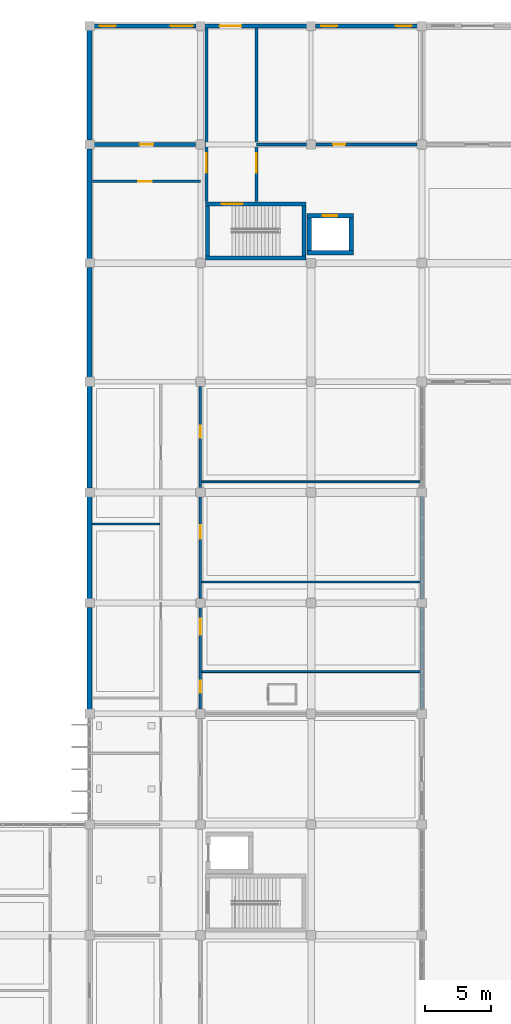
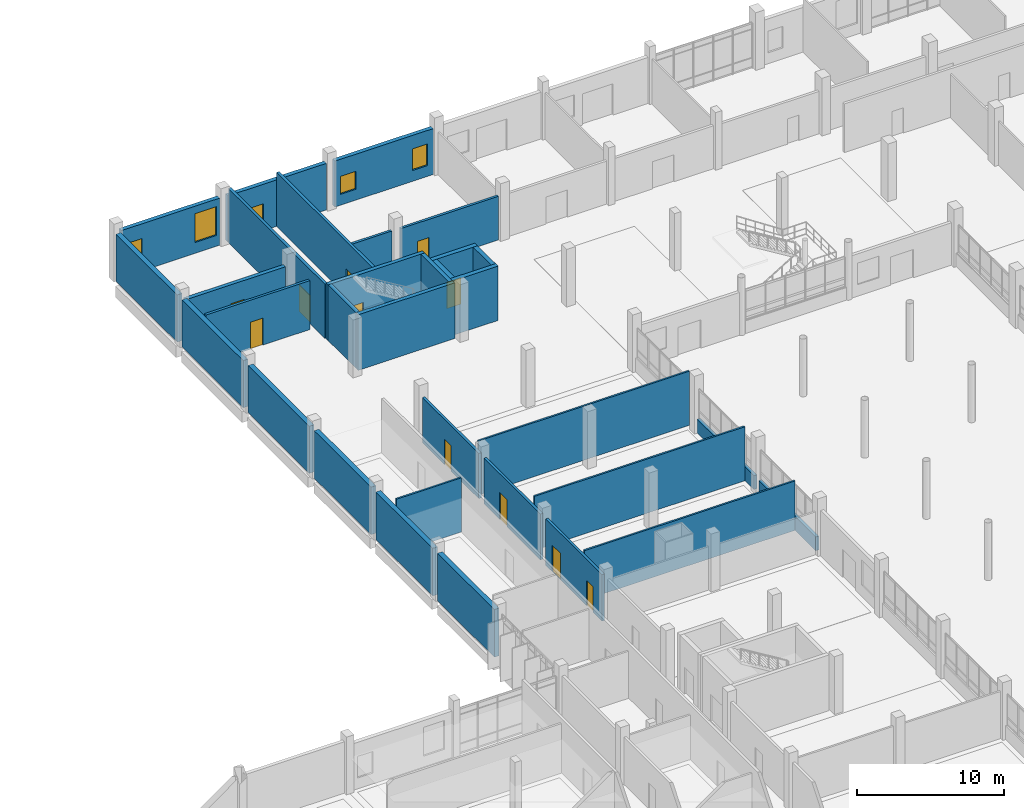
# One storey, part 79 of 95: 32 walls, 12 doors, 4 windows, 16 openings.
"""IFC4 building model written with IfcOpenShell, lengths in metres."""

from ifc_helpers import new_model, si_unit, direction, frame, frame_2d, origin, place, context, subcontext, project, spatial, rectangle, extrude, material, layer, layer_set, type_object, element, fill, save


model = new_model("IFC4")

# Units and contexts
model_context = context("Model", 3, precision=1e-05, world=origin(), true_north=direction((0.0, 1.0)))
body_context = subcontext(model_context, "Body", "Model", "MODEL_VIEW")
ifc_project = project(units=[si_unit("LENGTHUNIT", "METRE"), si_unit("AREAUNIT", "SQUARE_METRE"), si_unit("VOLUMEUNIT", "CUBIC_METRE"), si_unit("PLANEANGLEUNIT", "RADIAN"), si_unit("MASSUNIT", "GRAM", prefix="KILO")], contexts=[model_context])

# Site, building, storey
site_placement = place(None, origin())
site = spatial("IfcSite", under=ifc_project, at=site_placement, CompositionType="ELEMENT")
building_placement = place(site_placement, origin())
building = spatial("IfcBuilding", under=site, at=building_placement, Name="Vireocrest Preparatory School", CompositionType="ELEMENT")
storey_placement = place(building_placement, origin())
storey = spatial("IfcBuildingStorey", under=building, at=storey_placement, Name="L00", CompositionType="ELEMENT", Elevation=0.0)

# Walls
ifc_material_1 = material(Name="Gypsum board on cold-formed steel studs", Category="steel")
ifc_layer_1 = layer(ifc_material_1, 0.139892578125)
ifc_layer_set_1 = layer_set([ifc_layer_1], Name="Gypsum board on cold-formed steel studs")
wall_type_1 = type_object("IfcWallType", Name="Classroom Acoustic Partition Wall 140", PredefinedType="PARTITIONING", material=ifc_layer_set_1)
wall_1_placement = place(storey_placement, frame((42.195068359375, 75.0, 0.0), z_axis=(0.0, 0.0, 1.0), x_axis=(1.0, 0.0, 0.0)))
element("IfcWall", 1, at=wall_1_placement, inside=storey, type_object=wall_type_1, Name="Interior Partition W03 IW_L00_0045", PredefinedType="PARTITIONING", context=body_context, shape_type="SweptSolid", body=[
    extrude(rectangle(XDim=5.099853515625, YDim=0.139892578125, at=frame_2d((2.5498046875, 0.0))), origin(), (0.0, 0.0, 1.0), 4.5),
])
wall_2_placement = place(storey_placement, frame((50.5048828125, 63.800048828125, 0.0), z_axis=(0.0, 0.0, 1.0), x_axis=(1.0, 0.0, 0.0)))
element("IfcWall", 2, at=wall_2_placement, inside=storey, type_object=wall_type_1, Name="Interior Partition W03 IW_L00_0060", PredefinedType="PARTITIONING", context=body_context, shape_type="SweptSolid", body=[
    extrude(rectangle(XDim=16.570068359375, YDim=0.139892578125, at=frame_2d((8.28515625, 0.0))), origin(), (0.0, 0.0, 1.0), 4.110107421875),
])
for number, where, z_axis, x_axis, name in (
    (3, (50.5048828125, 70.60009765625, 0.0), (0.0, 0.0, 1.0), (1.0, 0.0, 0.0), "Interior Partition W03 IW_L00_0061"),
    (4, (50.5048828125, 78.199951171875, 0.0), (0.0, 0.0, 1.0), (1.0, 0.0, 0.0), "Interior Partition W03 IW_L00_0062"),
):
    element("IfcWall", number, at=place(storey_placement, frame(where, z_axis=z_axis, x_axis=x_axis)), inside=storey, type_object=wall_type_1, Name=name, PredefinedType="PARTITIONING", context=body_context, shape_type="SweptSolid", body=[
        extrude(rectangle(XDim=16.570068359375, YDim=0.139892578125, at=frame_2d((8.28515625, 0.0))), origin(), (0.0, 0.0, 1.0), 4.5),
    ])

# Wall, openings, doors
ifc_layer_2 = layer(ifc_material_1, 0.199951171875)
ifc_layer_set_2 = layer_set([ifc_layer_2], Name="Gypsum board on cold-formed steel studs")
wall_type_2 = type_object("IfcWallType", Name="Corridor One-Hour Fire Partition 200", PredefinedType="PARTITIONING", material=ifc_layer_set_2)
wall_3_placement = place(storey_placement, frame((50.39990234375, 60.9599609375, 0.0), z_axis=(0.0, 0.0, 1.0), x_axis=(0.0, 1.0, 0.0)))
wall_3 = element("IfcWall", 5, at=wall_3_placement, inside=storey, type_object=wall_type_2, Name="Interior Partition W06 IW_L00_0064", PredefinedType="PARTITIONING", context=body_context, shape_type="SweptSolid", body=[
    extrude(rectangle(XDim=7.679931640625, YDim=0.199951171875, at=frame_2d((3.83984375, 0.0))), origin(), (0.0, 0.0, 1.0), 3.860107421875),
])
opening_1_placement = place(wall_3_placement, frame((1.239990234375, 0.0, 0.0)))
opening_1 = element("IfcOpeningElement", 6, at=opening_1_placement, cuts=wall_3, Name="Opening D-L00-WAEN02", PredefinedType="OPENING", context=body_context, shape_type="SweptSolid", body=[
    extrude(rectangle(XDim=0.89990234375, YDim=2.10009765625, at=frame_2d((0.449951171875, 1.050048828125))), frame((0.0, 0.10986328125, 0.0), z_axis=(0.0, -1.0, 0.0), x_axis=(1.0, 0.0, 0.0)), (0.0, 0.0, 1.0), 0.219970703125),
])
opening_2_placement = place(wall_3_placement, frame((5.639892578125, 0.0, 0.0)))
opening_2 = element("IfcOpeningElement", 7, at=opening_2_placement, cuts=wall_3, Name="Opening D-L00-WAEN03", PredefinedType="OPENING", context=body_context, shape_type="SweptSolid", body=[
    extrude(rectangle(XDim=1.199951171875, YDim=2.199951171875, at=frame_2d((0.60009765625, 1.10009765625))), frame((0.0, 0.10986328125, 0.0), z_axis=(0.0, -1.0, 0.0), x_axis=(1.0, 0.0, 0.0)), (0.0, 0.0, 1.0), 0.219970703125),
])
ifc_material_2 = material(Name="Solid-core architectural birch timber", Category="wood")
door_type_1 = type_object("IfcDoorType", Name="Office Timber Door 900x2100", OperationType="NOTDEFINED", PredefinedType="DOOR", material=ifc_material_2)
door_1_placement = place(opening_1_placement, origin())
door_1 = element("IfcDoor", 8, at=door_1_placement, inside=storey, type_object=door_type_1, Name="Interior Door D-L00-WAEN02", OperationType="SINGLE_SWING_LEFT", OverallHeight=2.10009765625, OverallWidth=0.89990234375, PredefinedType="DOOR", context=body_context, shape_type="SweptSolid", body=[
    extrude(rectangle(XDim=0.89990234375, YDim=2.10009765625, at=frame_2d((0.449951171875, 1.050048828125))), frame((0.0, 0.02490234375, 0.0), z_axis=(0.0, -1.0, 0.0), x_axis=(1.0, 0.0, 0.0)), (0.0, 0.0, 1.0), 0.050048828125),
])
fill(opening_1, door_1)
door_type_2 = type_object("IfcDoorType", Name="Wide Accessible Studio Door 1200x2200", OperationType="NOTDEFINED", PredefinedType="DOOR", material=ifc_material_2)
door_2_placement = place(opening_2_placement, origin())
door_2 = element("IfcDoor", 9, at=door_2_placement, inside=storey, type_object=door_type_2, Name="Interior Door D-L00-WAEN03", OperationType="SINGLE_SWING_RIGHT", OverallHeight=2.199951171875, OverallWidth=1.199951171875, PredefinedType="DOOR", context=body_context, shape_type="SweptSolid", body=[
    extrude(rectangle(XDim=1.199951171875, YDim=2.199951171875, at=frame_2d((0.60009765625, 1.10009765625))), frame((0.0, 0.02490234375, 0.0), z_axis=(0.0, -1.0, 0.0), x_axis=(1.0, 0.0, 0.0)), (0.0, 0.0, 1.0), 0.050048828125),
])
fill(opening_2, door_2)

# Wall, opening, door
wall_4_placement = place(storey_placement, frame((50.39990234375, 69.360107421875, 0.0), z_axis=(0.0, 0.0, 1.0), x_axis=(0.0, 1.0, 0.0)))
wall_4 = element("IfcWall", 10, at=wall_4_placement, inside=storey, type_object=wall_type_2, Name="Interior Partition W06 IW_L00_0065", PredefinedType="PARTITIONING", context=body_context, shape_type="SweptSolid", body=[
    extrude(rectangle(XDim=7.679931640625, YDim=0.199951171875, at=frame_2d((3.83984375, 0.0))), origin(), (0.0, 0.0, 1.0), 3.81005859375),
])
opening_3_placement = place(wall_4_placement, frame((4.5400390625, 0.0, 0.0)))
opening_3 = element("IfcOpeningElement", 11, at=opening_3_placement, cuts=wall_4, Name="Opening D-L00-WAEN04", PredefinedType="OPENING", context=body_context, shape_type="SweptSolid", body=[
    extrude(rectangle(XDim=1.0, YDim=2.25, at=frame_2d((0.5, 1.125))), frame((0.0, 0.10986328125, 0.0), z_axis=(0.0, -1.0, 0.0), x_axis=(1.0, 0.0, 0.0)), (0.0, 0.0, 1.0), 0.219970703125),
])
door_type_3 = type_object("IfcDoorType", Name="Seminar Room Timber Door 1000x2250", OperationType="NOTDEFINED", PredefinedType="DOOR", material=ifc_material_2)
door_3_placement = place(opening_3_placement, origin())
door_3 = element("IfcDoor", 12, at=door_3_placement, inside=storey, type_object=door_type_3, Name="Interior Door D-L00-WAEN04", OperationType="SINGLE_SWING_LEFT", OverallHeight=2.25, OverallWidth=1.0, PredefinedType="DOOR", context=body_context, shape_type="SweptSolid", body=[
    extrude(rectangle(XDim=1.0, YDim=2.25, at=frame_2d((0.5, 1.125))), frame((0.0, 0.02490234375, 0.0), z_axis=(0.0, -1.0, 0.0), x_axis=(1.0, 0.0, 0.0)), (0.0, 0.0, 1.0), 0.050048828125),
])
fill(opening_3, door_3)

wall_5_placement = place(storey_placement, frame((50.39990234375, 77.760009765625, 0.0), z_axis=(0.0, 0.0, 1.0), x_axis=(0.0, 1.0, 0.0)))
wall_5 = element("IfcWall", 13, at=wall_5_placement, inside=storey, type_object=wall_type_2, Name="Interior Partition W06 IW_L00_0066", PredefinedType="PARTITIONING", context=body_context, shape_type="SweptSolid", body=[
    extrude(rectangle(XDim=7.679931640625, YDim=0.199951171875, at=frame_2d((3.83984375, 0.0))), origin(), (0.0, 0.0, 1.0), 3.760009765625),
])
opening_4_placement = place(wall_5_placement, frame((3.7900390625, 0.0, 0.0)))
opening_4 = element("IfcOpeningElement", 14, at=opening_4_placement, cuts=wall_5, Name="Opening D-L00-WAEN05", PredefinedType="OPENING", context=body_context, shape_type="SweptSolid", body=[
    extrude(rectangle(XDim=0.89990234375, YDim=2.10009765625, at=frame_2d((0.449951171875, 1.050048828125))), frame((0.0, 0.10986328125, 0.0), z_axis=(0.0, -1.0, 0.0), x_axis=(1.0, 0.0, 0.0)), (0.0, 0.0, 1.0), 0.219970703125),
])
door_4_placement = place(opening_4_placement, origin())
door_4 = element("IfcDoor", 15, at=door_4_placement, inside=storey, type_object=door_type_1, Name="Interior Door D-L00-WAEN05", OperationType="SINGLE_SWING_RIGHT", OverallHeight=2.10009765625, OverallWidth=0.89990234375, PredefinedType="DOOR", context=body_context, shape_type="SweptSolid", body=[
    extrude(rectangle(XDim=0.89990234375, YDim=2.10009765625, at=frame_2d((0.449951171875, 1.050048828125))), frame((0.0, 0.02490234375, 0.0), z_axis=(0.0, -1.0, 0.0), x_axis=(1.0, 0.0, 0.0)), (0.0, 0.0, 1.0), 0.050048828125),
])
fill(opening_4, door_4)

# Wall
wall_6_placement = place(storey_placement, frame((54.659912109375, 103.800048828125, 0.0), z_axis=(0.0, 0.0, 1.0), x_axis=(1.0, 0.0, 0.0)))
element("IfcWall", 16, at=wall_6_placement, inside=storey, type_object=wall_type_2, Name="Interior Partition W06 IW_L00_0076", PredefinedType="PARTITIONING", context=body_context, shape_type="SweptSolid", body=[
    extrude(rectangle(XDim=3.780029296875, YDim=0.199951171875, at=frame_2d((1.89013671875, 0.0))), origin(), (0.0, 0.0, 1.0), 3.669921875),
])

# Wall, opening, door
wall_7_placement = place(storey_placement, frame((59.159912109375, 103.800048828125, 0.0), z_axis=(0.0, 0.0, 1.0), x_axis=(1.0, 0.0, 0.0)))
wall_7 = element("IfcWall", 17, at=wall_7_placement, inside=storey, type_object=wall_type_2, Name="Interior Partition W06 IW_L00_0077", PredefinedType="PARTITIONING", context=body_context, shape_type="SweptSolid", body=[
    extrude(rectangle(XDim=7.68017578125, YDim=0.199951171875, at=frame_2d((3.840087890625, 0.0))), origin(), (0.0, 0.0, 1.0), 3.6201171875),
])
opening_5_placement = place(wall_7_placement, frame((1.31494140625, 0.0, 0.0)))
opening_5 = element("IfcOpeningElement", 18, at=opening_5_placement, cuts=wall_7, Name="Opening D-L00-NNE01", PredefinedType="OPENING", context=body_context, shape_type="SweptSolid", body=[
    extrude(rectangle(XDim=0.89990234375, YDim=2.10009765625, at=frame_2d((0.449951171875, 1.050048828125))), frame((0.0, 0.10986328125, 0.0), z_axis=(0.0, -1.0, 0.0), x_axis=(1.0, 0.0, 0.0)), (0.0, 0.0, 1.0), 0.219970703125),
])
door_5_placement = place(opening_5_placement, origin())
door_5 = element("IfcDoor", 19, at=door_5_placement, inside=storey, type_object=door_type_1, Name="Interior Door D-L00-NNE01", OperationType="SINGLE_SWING_LEFT", OverallHeight=2.10009765625, OverallWidth=0.89990234375, PredefinedType="DOOR", context=body_context, shape_type="SweptSolid", body=[
    extrude(rectangle(XDim=0.89990234375, YDim=2.10009765625, at=frame_2d((0.449951171875, 1.050048828125))), frame((0.0, 0.02490234375, 0.0), z_axis=(0.0, -1.0, 0.0), x_axis=(1.0, 0.0, 0.0)), (0.0, 0.0, 1.0), 0.050048828125),
])
fill(opening_5, door_5)

wall_8_placement = place(storey_placement, frame((42.195068359375, 101.0, 0.0), z_axis=(0.0, 0.0, 1.0), x_axis=(1.0, 0.0, 0.0)))
wall_8 = element("IfcWall", 20, at=wall_8_placement, inside=storey, type_object=wall_type_2, Name="Interior Partition W06 IW_L00_0084", PredefinedType="PARTITIONING", context=body_context, shape_type="SweptSolid", body=[
    extrude(rectangle(XDim=8.19482421875, YDim=0.199951171875, at=frame_2d((4.097412109375, 0.0))), origin(), (0.0, 0.0, 1.0), 4.070068359375),
])
opening_6_placement = place(wall_8_placement, frame((3.5048828125, 0.0, 0.0)))
opening_6 = element("IfcOpeningElement", 21, at=opening_6_placement, cuts=wall_8, Name="Opening D-L00-NSW01", PredefinedType="OPENING", context=body_context, shape_type="SweptSolid", body=[
    extrude(rectangle(XDim=1.0, YDim=2.25, at=frame_2d((0.5, 1.125))), frame((0.0, 0.10986328125, 0.0), z_axis=(0.0, -1.0, 0.0), x_axis=(1.0, 0.0, 0.0)), (0.0, 0.0, 1.0), 0.219970703125),
])
door_6_placement = place(opening_6_placement, origin())
door_6 = element("IfcDoor", 22, at=door_6_placement, inside=storey, type_object=door_type_3, Name="Interior Door D-L00-NSW01", OperationType="SINGLE_SWING_RIGHT", OverallHeight=2.25, OverallWidth=1.0, PredefinedType="DOOR", context=body_context, shape_type="SweptSolid", body=[
    extrude(rectangle(XDim=1.0, YDim=2.25, at=frame_2d((0.5, 1.125))), frame((0.0, 0.02490234375, 0.0), z_axis=(0.0, -1.0, 0.0), x_axis=(1.0, 0.0, 0.0)), (0.0, 0.0, 1.0), 0.050048828125),
])
fill(opening_6, door_6)

# Wall, openings, windows
ifc_material_3 = material(Name="Precast white concrete 40 MPa", Category="concrete")
ifc_layer_3 = layer(ifc_material_3, 0.320068359375)
ifc_layer_set_3 = layer_set([ifc_layer_3], Name="Precast white concrete 40 MPa")
wall_type_3 = type_object("IfcWallType", Name="High-Tech Insulated Rainscreen External Wall 320", PredefinedType="SOLIDWALL", material=ifc_layer_set_3)
wall_9_placement = place(storey_placement, frame((42.324951171875, 112.800048828125, 0.0), z_axis=(0.0, 0.0, 1.0), x_axis=(1.0, 0.0, 0.0)))
wall_9 = element("IfcWall", 23, at=wall_9_placement, inside=storey, type_object=wall_type_3, Name="External Wall W12 EW_L00_0073", PredefinedType="SOLIDWALL", context=body_context, shape_type="SweptSolid", body=[
    extrude(rectangle(XDim=7.75, YDim=0.320068359375, at=frame_2d((3.875, 0.0))), origin(), (0.0, 0.0, 1.0), 3.919921875),
])
opening_7_placement = place(wall_9_placement, frame((0.449951171875, 0.0, 0.89990234375)))
opening_7 = element("IfcOpeningElement", 24, at=opening_7_placement, cuts=wall_9, Name="Opening WN02", PredefinedType="OPENING", context=body_context, shape_type="SweptSolid", body=[
    extrude(rectangle(XDim=1.199951171875, YDim=1.800048828125, at=frame_2d((0.60009765625, 0.89990234375))), frame((0.0, 0.169921875, 0.0), z_axis=(0.0, -1.0, 0.0), x_axis=(1.0, 0.0, 0.0)), (0.0, 0.0, 1.0), 0.340087890625),
])
opening_8_placement = place(wall_9_placement, frame((5.820068359375, 0.0, 0.89990234375)))
opening_8 = element("IfcOpeningElement", 25, at=opening_8_placement, cuts=wall_9, Name="Opening WN07", PredefinedType="OPENING", context=body_context, shape_type="SweptSolid", body=[
    extrude(rectangle(XDim=1.679931640625, YDim=2.39990234375, at=frame_2d((0.83984375, 1.199951171875))), frame((0.0, 0.169921875, 0.0), z_axis=(0.0, -1.0, 0.0), x_axis=(1.0, 0.0, 0.0)), (0.0, 0.0, 1.0), 0.340087890625),
])
ifc_material_4 = material(Name="Thermally broken aluminium EN AW-6063-T6", Category="aluminium")
window_type_1 = type_object("IfcWindowType", Name="Counseling Window 1200x1800", PartitioningType="SINGLE_PANEL", PredefinedType="WINDOW", material=ifc_material_4)
window_1_placement = place(opening_7_placement, origin())
window_1 = element("IfcWindow", 26, at=window_1_placement, inside=storey, type_object=window_type_1, Name="Window W-L00-013 (WN02)", OverallHeight=1.800048828125, OverallWidth=1.199951171875, PartitioningType="SINGLE_PANEL", PredefinedType="WINDOW", context=body_context, shape_type="SweptSolid", body=[
    extrude(rectangle(XDim=1.199951171875, YDim=1.800048828125, at=frame_2d((0.60009765625, 0.89990234375))), frame((0.0, 0.030029296875, 0.0), z_axis=(0.0, -1.0, 0.0), x_axis=(1.0, 0.0, 0.0)), (0.0, 0.0, 1.0), 0.06005859375),
])
fill(opening_7, window_1)
window_type_2 = type_object("IfcWindowType", Name="Module Lab Window 1680x2400", PartitioningType="SINGLE_PANEL", PredefinedType="WINDOW", material=ifc_material_4)
window_2_placement = place(opening_8_placement, origin())
window_2 = element("IfcWindow", 27, at=window_2_placement, inside=storey, type_object=window_type_2, Name="Window W-L00-014 (WN07)", OverallHeight=2.39990234375, OverallWidth=1.679931640625, PartitioningType="SINGLE_PANEL", PredefinedType="WINDOW", context=body_context, shape_type="SweptSolid", body=[
    extrude(rectangle(XDim=1.679931640625, YDim=2.39990234375, at=frame_2d((0.83984375, 1.199951171875))), frame((0.0, 0.030029296875, 0.0), z_axis=(0.0, -1.0, 0.0), x_axis=(1.0, 0.0, 0.0)), (0.0, 0.0, 1.0), 0.06005859375),
])
fill(opening_8, window_2)

# Wall, opening, door
wall_10_placement = place(storey_placement, frame((50.72509765625, 112.800048828125, 0.0), z_axis=(0.0, 0.0, 1.0), x_axis=(1.0, 0.0, 0.0)))
wall_10 = element("IfcWall", 28, at=wall_10_placement, inside=storey, type_object=wall_type_3, Name="External Wall W12 EW_L00_0074", PredefinedType="SOLIDWALL", context=body_context, shape_type="SweptSolid", body=[
    extrude(rectangle(XDim=7.75, YDim=0.320068359375, at=frame_2d((3.875, 0.0))), origin(), (0.0, 0.0, 1.0), 3.8701171875),
])
opening_9_placement = place(wall_10_placement, frame((1.125, 0.0, 0.0)))
opening_9 = element("IfcOpeningElement", 29, at=opening_9_placement, cuts=wall_10, Name="Opening ED3", PredefinedType="OPENING", context=body_context, shape_type="SweptSolid", body=[
    extrude(rectangle(XDim=1.64990234375, YDim=2.25, at=frame_2d((0.824951171875, 1.125))), frame((0.0, 0.169921875, 0.0), z_axis=(0.0, -1.0, 0.0), x_axis=(1.0, 0.0, 0.0)), (0.0, 0.0, 1.0), 0.340087890625),
])
ifc_material_5 = material(Name="Painted galvanized hollow steel", Category="steel")
door_type_4 = type_object("IfcDoorType", Name="Stair Discharge Exterior Fire Exit Door 1650x2250", OperationType="DOUBLE_DOOR_SINGLE_SWING", PredefinedType="DOOR", material=ifc_material_5)
door_7_placement = place(opening_9_placement, origin())
door_7 = element("IfcDoor", 30, at=door_7_placement, inside=storey, type_object=door_type_4, Name="Final Exit ED3 Stair ST3 Discharge", OperationType="DOUBLE_DOOR_SINGLE_SWING", OverallHeight=2.25, OverallWidth=1.64990234375, PredefinedType="DOOR", context=body_context, shape_type="SweptSolid", body=[
    extrude(rectangle(XDim=1.64990234375, YDim=2.25, at=frame_2d((0.824951171875, 1.125))), frame((0.0, 0.02490234375, 0.0), z_axis=(0.0, -1.0, 0.0), x_axis=(1.0, 0.0, 0.0)), (0.0, 0.0, 1.0), 0.050048828125),
])
fill(opening_9, door_7)

# Wall, openings, windows
wall_11_placement = place(storey_placement, frame((59.125, 112.800048828125, 0.0), z_axis=(0.0, 0.0, 1.0), x_axis=(1.0, 0.0, 0.0)))
wall_11 = element("IfcWall", 31, at=wall_11_placement, inside=storey, type_object=wall_type_3, Name="External Wall W12 EW_L00_0075", PredefinedType="SOLIDWALL", context=body_context, shape_type="SweptSolid", body=[
    extrude(rectangle(XDim=7.75, YDim=0.320068359375, at=frame_2d((3.875, 0.0))), origin(), (0.0, 0.0, 1.0), 3.820068359375),
])
opening_10_placement = place(wall_11_placement, frame((0.449951171875, 0.0, 0.89990234375)))
opening_10 = element("IfcOpeningElement", 32, at=opening_10_placement, cuts=wall_11, Name="Opening WN01", PredefinedType="OPENING", context=body_context, shape_type="SweptSolid", body=[
    extrude(rectangle(XDim=1.199951171875, YDim=1.5, at=frame_2d((0.60009765625, 0.75))), frame((0.0, 0.169921875, 0.0), z_axis=(0.0, -1.0, 0.0), x_axis=(1.0, 0.0, 0.0)), (0.0, 0.0, 1.0), 0.340087890625),
])
opening_11_placement = place(wall_11_placement, frame((6.10009765625, 0.0, 0.89990234375)))
opening_11 = element("IfcOpeningElement", 33, at=opening_11_placement, cuts=wall_11, Name="Opening WN02", PredefinedType="OPENING", context=body_context, shape_type="SweptSolid", body=[
    extrude(rectangle(XDim=1.199951171875, YDim=1.800048828125, at=frame_2d((0.60009765625, 0.89990234375))), frame((0.0, 0.169921875, 0.0), z_axis=(0.0, -1.0, 0.0), x_axis=(1.0, 0.0, 0.0)), (0.0, 0.0, 1.0), 0.340087890625),
])
window_3_placement = place(opening_11_placement, origin())
window_3 = element("IfcWindow", 34, at=window_3_placement, inside=storey, type_object=window_type_1, Name="Window W-L00-016 (WN02)", OverallHeight=1.800048828125, OverallWidth=1.199951171875, PartitioningType="SINGLE_PANEL", PredefinedType="WINDOW", context=body_context, shape_type="SweptSolid", body=[
    extrude(rectangle(XDim=1.199951171875, YDim=1.800048828125, at=frame_2d((0.60009765625, 0.89990234375))), frame((0.0, 0.030029296875, 0.0), z_axis=(0.0, -1.0, 0.0), x_axis=(1.0, 0.0, 0.0)), (0.0, 0.0, 1.0), 0.06005859375),
])
fill(opening_11, window_3)
window_type_3 = type_object("IfcWindowType", Name="Office Punched Window 1200x1500", PartitioningType="SINGLE_PANEL", PredefinedType="WINDOW", material=ifc_material_4)
window_4_placement = place(opening_10_placement, origin())
window_4 = element("IfcWindow", 35, at=window_4_placement, inside=storey, type_object=window_type_3, Name="Window W-L00-015 (WN01)", OverallHeight=1.5, OverallWidth=1.199951171875, PartitioningType="SINGLE_PANEL", PredefinedType="WINDOW", context=body_context, shape_type="SweptSolid", body=[
    extrude(rectangle(XDim=1.199951171875, YDim=1.5, at=frame_2d((0.60009765625, 0.75))), frame((0.0, 0.030029296875, 0.0), z_axis=(0.0, -1.0, 0.0), x_axis=(1.0, 0.0, 0.0)), (0.0, 0.0, 1.0), 0.06005859375),
])
fill(opening_10, window_4)

# Wall, opening, door
ifc_material_6 = material(Name="Acoustic concrete masonry unitwork", Category="masonry")
ifc_layer_4 = layer(ifc_material_6, 0.219970703125)
ifc_layer_set_4 = layer_set([ifc_layer_4], Name="Acoustic concrete masonry unitwork")
wall_type_4 = type_object("IfcWallType", Name="Internal Acoustic Masonry Wall 220", PredefinedType="SOLIDWALL", material=ifc_layer_set_4)
wall_12_placement = place(storey_placement, frame((50.85009765625, 99.469970703125, 0.0), z_axis=(0.0, 0.0, 1.0), x_axis=(0.0, 1.0, 0.0)))
wall_12 = element("IfcWall", 36, at=wall_12_placement, inside=storey, type_object=wall_type_4, Name="Interior Partition W07 IW_L00_0068", PredefinedType="SOLIDWALL", context=body_context, shape_type="SweptSolid", body=[
    extrude(rectangle(XDim=13.1650390625, YDim=0.219970703125, at=frame_2d((6.58251953125, 0.0))), origin(), (0.0, 0.0, 1.0), 4.5),
])
opening_12_placement = place(wall_12_placement, frame((2.179931640625, 0.0, 0.0)))
opening_12 = element("IfcOpeningElement", 37, at=opening_12_placement, cuts=wall_12, Name="Opening D-L00-EPW", PredefinedType="OPENING", context=body_context, shape_type="SweptSolid", body=[
    extrude(rectangle(XDim=1.5, YDim=2.199951171875, at=frame_2d((0.75, 1.10009765625))), frame((0.0, 0.119873046875, 0.0), z_axis=(0.0, -1.0, 0.0), x_axis=(1.0, 0.0, 0.0)), (0.0, 0.0, 1.0), 0.239990234375),
])
door_type_5 = type_object("IfcDoorType", Name="Stair Enclosure Fire Door 1500x2200", OperationType="DOUBLE_DOOR_SINGLE_SWING", PredefinedType="DOOR", material=ifc_material_5)
door_8_placement = place(opening_12_placement, origin())
door_8 = element("IfcDoor", 38, at=door_8_placement, inside=storey, type_object=door_type_5, Name="Interior Door D-L00-EPW", OperationType="DOUBLE_DOOR_SINGLE_SWING", OverallHeight=2.199951171875, OverallWidth=1.5, PredefinedType="DOOR", context=body_context, shape_type="SweptSolid", body=[
    extrude(rectangle(XDim=1.5, YDim=2.199951171875, at=frame_2d((0.75, 1.10009765625))), frame((0.0, 0.02490234375, 0.0), z_axis=(0.0, -1.0, 0.0), x_axis=(1.0, 0.0, 0.0)), (0.0, 0.0, 1.0), 0.050048828125),
])
fill(opening_12, door_8)

wall_13_placement = place(storey_placement, frame((54.64990234375, 99.469970703125, 0.0), z_axis=(0.0, 0.0, 1.0), x_axis=(0.0, 1.0, 0.0)))
wall_13 = element("IfcWall", 39, at=wall_13_placement, inside=storey, type_object=wall_type_4, Name="Interior Partition W07 IW_L00_0069", PredefinedType="SOLIDWALL", context=body_context, shape_type="SweptSolid", body=[
    extrude(rectangle(XDim=13.1650390625, YDim=0.219970703125, at=frame_2d((6.58251953125, 0.0))), origin(), (0.0, 0.0, 1.0), 4.5),
])
opening_13_placement = place(wall_13_placement, frame((2.179931640625, 0.0, 0.0)))
opening_13 = element("IfcOpeningElement", 40, at=opening_13_placement, cuts=wall_13, Name="Opening D-L00-EPE", PredefinedType="OPENING", context=body_context, shape_type="SweptSolid", body=[
    extrude(rectangle(XDim=1.5, YDim=2.199951171875, at=frame_2d((0.75, 1.10009765625))), frame((0.0, 0.119873046875, 0.0), z_axis=(0.0, -1.0, 0.0), x_axis=(1.0, 0.0, 0.0)), (0.0, 0.0, 1.0), 0.239990234375),
])
door_9_placement = place(opening_13_placement, origin())
door_9 = element("IfcDoor", 41, at=door_9_placement, inside=storey, type_object=door_type_5, Name="Interior Door D-L00-EPE", OperationType="DOUBLE_DOOR_SINGLE_SWING", OverallHeight=2.199951171875, OverallWidth=1.5, PredefinedType="DOOR", context=body_context, shape_type="SweptSolid", body=[
    extrude(rectangle(XDim=1.5, YDim=2.199951171875, at=frame_2d((0.75, 1.10009765625))), frame((0.0, 0.02490234375, 0.0), z_axis=(0.0, -1.0, 0.0), x_axis=(1.0, 0.0, 0.0)), (0.0, 0.0, 1.0), 0.050048828125),
])
fill(opening_13, door_9)

# Wall
ifc_material_7 = material(Name="Concrete 45 MPa", Category="concrete")
ifc_layer_5 = layer(ifc_material_7, 0.35009765625)
ifc_layer_set_5 = layer_set([ifc_layer_5], Name="Concrete 45 MPa")
wall_type_5 = type_object("IfcWallType", Name="Two-Hour RC Lift Core Shear Wall 350", PredefinedType="SHEAR", material=ifc_layer_set_5)
wall_14_placement = place(storey_placement, frame((58.47509765625, 95.60009765625, 0.0), z_axis=(0.0, 0.0, 1.0), x_axis=(1.0, 0.0, 0.0)))
element("IfcWall", 42, at=wall_14_placement, inside=storey, type_object=wall_type_5, Name="Lift Core Shear Wall LF3 L00-S", PredefinedType="SHEAR", context=body_context, shape_type="SweptSolid", body=[
    extrude(rectangle(XDim=3.5498046875, YDim=0.35009765625, at=frame_2d((1.77490234375, 0.0))), origin(), (0.0, 0.0, 1.0), 4.52001953125),
])

# Wall, opening, door
wall_15_placement = place(storey_placement, frame((58.47509765625, 98.39990234375, 0.0), z_axis=(0.0, 0.0, 1.0), x_axis=(1.0, 0.0, 0.0)))
wall_15 = element("IfcWall", 43, at=wall_15_placement, inside=storey, type_object=wall_type_5, Name="Lift Core Shear Wall LF3 L00-N", PredefinedType="SHEAR", context=body_context, shape_type="SweptSolid", body=[
    extrude(rectangle(XDim=3.5498046875, YDim=0.35009765625, at=frame_2d((1.77490234375, 0.0))), origin(), (0.0, 0.0, 1.0), 4.52001953125),
])
opening_14_placement = place(wall_15_placement, frame((1.22509765625, 0.0, 0.0)))
opening_14 = element("IfcOpeningElement", 44, at=opening_14_placement, cuts=wall_15, Name="Opening LD-LF3-L00", PredefinedType="OPENING", context=body_context, shape_type="SweptSolid", body=[
    extrude(rectangle(XDim=1.10009765625, YDim=2.199951171875, at=frame_2d((0.550048828125, 1.10009765625))), frame((0.0, 0.18505859375, 0.0), z_axis=(0.0, -1.0, 0.0), x_axis=(1.0, 0.0, 0.0)), (0.0, 0.0, 1.0), 0.3701171875),
])
door_type_6 = type_object("IfcDoorType", Name="Lift Landing Sliding Door 1100x2200", OperationType="DOUBLE_DOOR_SLIDING", PredefinedType="DOOR", material=ifc_material_5)
door_10_placement = place(opening_14_placement, origin())
door_10 = element("IfcDoor", 45, at=door_10_placement, inside=storey, type_object=door_type_6, Name="Lift Landing Door LD-LF3-L00", OperationType="DOUBLE_DOOR_SLIDING", OverallHeight=2.199951171875, OverallWidth=1.10009765625, PredefinedType="DOOR", context=body_context, shape_type="SweptSolid", body=[
    extrude(rectangle(XDim=1.10009765625, YDim=2.199951171875, at=frame_2d((0.550048828125, 1.10009765625))), frame((0.0, 0.02490234375, 0.0), z_axis=(0.0, -1.0, 0.0), x_axis=(1.0, 0.0, 0.0)), (0.0, 0.0, 1.0), 0.050048828125),
])
fill(opening_14, door_10)

# Walls
for number, where, z_axis, x_axis, name in (
    (46, (58.64990234375, 95.77490234375, 0.0), (0.0, 0.0, 1.0), (0.0, 1.0, 0.0), "Lift Core Shear Wall LF3 L00-W"),
    (47, (61.85009765625, 95.77490234375, 0.0), (0.0, 0.0, 1.0), (0.0, 1.0, 0.0), "Lift Core Shear Wall LF3 L00-E"),
):
    element("IfcWall", number, at=place(storey_placement, frame(where, z_axis=z_axis, x_axis=x_axis)), inside=storey, type_object=wall_type_5, Name=name, PredefinedType="SHEAR", context=body_context, shape_type="SweptSolid", body=[
        extrude(rectangle(XDim=2.4501953125, YDim=0.35009765625, at=frame_2d((1.22509765625, 0.0))), origin(), (0.0, 0.0, 1.0), 4.52001953125),
    ])
ifc_layer_6 = layer(ifc_material_7, 0.3798828125)
ifc_layer_set_6 = layer_set([ifc_layer_6], Name="Concrete 45 MPa")
wall_type_6 = type_object("IfcWallType", Name="Two-Hour RC Lot-Line Shear Wall 380", PredefinedType="SHEAR", material=ifc_layer_set_6)
for number, where, z_axis, x_axis, name in (
    (48, (42.0, 86.125, 0.0), (0.0, 0.0, 1.0), (0.0, 1.0, 0.0), "External Wall PW1 PARTY_L00_0082"),
    (49, (42.0, 95.125, 0.0), (0.0, 0.0, 1.0), (0.0, 1.0, 0.0), "External Wall PW1 PARTY_L00_0083"),
    (50, (42.0, 104.125, 0.0), (0.0, 0.0, 1.0), (0.0, 1.0, 0.0), "External Wall PW1 PARTY_L00_0084"),
):
    element("IfcWall", number, at=place(storey_placement, frame(where, z_axis=z_axis, x_axis=x_axis)), inside=storey, type_object=wall_type_6, Name=name, PredefinedType="SHEAR", context=body_context, shape_type="SweptSolid", body=[
        extrude(rectangle(XDim=8.35009765625, YDim=0.3798828125, at=frame_2d((4.175048828125, 0.0))), origin(), (0.0, 0.0, 1.0), 3.912109375),
    ])
for number, where, z_axis, x_axis, name in (
    (51, (42.0, 60.925048828125, 0.0), (0.0, 0.0, 1.0), (0.0, 1.0, 0.0), "External Wall PW1 PARTY_L00_0086"),
    (52, (42.0, 69.324951171875, 0.0), (0.0, 0.0, 1.0), (0.0, 1.0, 0.0), "External Wall PW1 PARTY_L00_0087"),
    (53, (42.0, 77.72509765625, 0.0), (0.0, 0.0, 1.0), (0.0, 1.0, 0.0), "External Wall PW1 PARTY_L00_0088"),
):
    element("IfcWall", number, at=place(storey_placement, frame(where, z_axis=z_axis, x_axis=x_axis)), inside=storey, type_object=wall_type_6, Name=name, PredefinedType="SHEAR", context=body_context, shape_type="SweptSolid", body=[
        extrude(rectangle(XDim=7.75, YDim=0.3798828125, at=frame_2d((3.875, 0.0))), origin(), (0.0, 0.0, 1.0), 3.951904296875),
    ])
ifc_layer_7 = layer(ifc_material_7, 0.300048828125)
ifc_layer_set_7 = layer_set([ifc_layer_7], Name="Concrete 45 MPa")
wall_type_7 = type_object("IfcWallType", Name="Two-Hour RC Stair Shaft Shear Wall 300", PredefinedType="SHEAR", material=ifc_layer_set_7)
wall_16_placement = place(storey_placement, frame((50.800048828125, 95.199951171875, 0.0), z_axis=(0.0, 0.0, 1.0), x_axis=(1.0, 0.0, 0.0)))
element("IfcWall", 54, at=wall_16_placement, inside=storey, type_object=wall_type_7, Name="Stair Core Shear Wall ST3 L00-S", PredefinedType="SHEAR", context=body_context, shape_type="SweptSolid", body=[
    extrude(rectangle(XDim=7.599853515625, YDim=0.300048828125, at=frame_2d((3.7998046875, 0.0))), origin(), (0.0, 0.0, 1.0), 4.625),
])

# Wall, opening, door
wall_17_placement = place(storey_placement, frame((50.800048828125, 99.300048828125, 0.0), z_axis=(0.0, 0.0, 1.0), x_axis=(1.0, 0.0, 0.0)))
wall_17 = element("IfcWall", 55, at=wall_17_placement, inside=storey, type_object=wall_type_7, Name="Stair Core Shear Wall ST3 L00-N", PredefinedType="SHEAR", context=body_context, shape_type="SweptSolid", body=[
    extrude(rectangle(XDim=7.599853515625, YDim=0.300048828125, at=frame_2d((3.7998046875, 0.0))), origin(), (0.0, 0.0, 1.0), 4.625),
])
opening_15_placement = place(wall_17_placement, frame((1.199951171875, 0.0, 0.0)))
opening_15 = element("IfcOpeningElement", 56, at=opening_15_placement, cuts=wall_17, Name="Opening SD-ST3-L00", PredefinedType="OPENING", context=body_context, shape_type="SweptSolid", body=[
    extrude(rectangle(XDim=1.60009765625, YDim=2.199951171875, at=frame_2d((0.800048828125, 1.10009765625))), frame((0.0, 0.159912109375, 0.0), z_axis=(0.0, -1.0, 0.0), x_axis=(1.0, 0.0, 0.0)), (0.0, 0.0, 1.0), 0.320068359375),
])
door_type_7 = type_object("IfcDoorType", Name="Stair Core Lobby Fire Door 1600x2200", OperationType="DOUBLE_DOOR_SINGLE_SWING", PredefinedType="DOOR", material=ifc_material_5)
door_11_placement = place(opening_15_placement, origin())
door_11 = element("IfcDoor", 57, at=door_11_placement, inside=storey, type_object=door_type_7, Name="Stair Enclosure Fire Door SD-ST3-L00", OperationType="DOUBLE_DOOR_SINGLE_SWING", OverallHeight=2.199951171875, OverallWidth=1.60009765625, PredefinedType="DOOR", context=body_context, shape_type="SweptSolid", body=[
    extrude(rectangle(XDim=1.60009765625, YDim=2.199951171875, at=frame_2d((0.800048828125, 1.10009765625))), frame((0.0, 0.02490234375, 0.0), z_axis=(0.0, -1.0, 0.0), x_axis=(1.0, 0.0, 0.0)), (0.0, 0.0, 1.0), 0.050048828125),
])
fill(opening_15, door_11)

# Walls
for number, where, z_axis, x_axis, name in (
    (58, (50.949951171875, 95.35009765625, 0.0), (0.0, 0.0, 1.0), (0.0, 1.0, 0.0), "Stair Core Shear Wall ST3 L00-W"),
    (59, (58.25, 95.35009765625, 0.0), (0.0, 0.0, 1.0), (0.0, 1.0, 0.0), "Stair Core Shear Wall ST3 L00-E"),
):
    element("IfcWall", number, at=place(storey_placement, frame(where, z_axis=z_axis, x_axis=x_axis)), inside=storey, type_object=wall_type_7, Name=name, PredefinedType="SHEAR", context=body_context, shape_type="SweptSolid", body=[
        extrude(rectangle(XDim=3.7998046875, YDim=0.300048828125, at=frame_2d((1.89990234375, 0.0))), origin(), (0.0, 0.0, 1.0), 4.625),
    ])

# Wall, opening, door
wall_18_placement = place(storey_placement, frame((42.195068359375, 103.800048828125, 0.0), z_axis=(0.0, 0.0, 1.0), x_axis=(1.0, 0.0, 0.0)))
wall_18 = element("IfcWall", 60, at=wall_18_placement, inside=storey, type_object=wall_type_7, Name="Interior Partition SW1 IW_L00_0070", PredefinedType="SHEAR", context=body_context, shape_type="SweptSolid", body=[
    extrude(rectangle(XDim=7.844970703125, YDim=0.300048828125, at=frame_2d((3.92236328125, 0.0))), origin(), (0.0, 0.0, 1.0), 3.669921875),
])
opening_16_placement = place(wall_18_placement, frame((3.5849609375, 0.0, 0.0)))
opening_16 = element("IfcOpeningElement", 61, at=opening_16_placement, cuts=wall_18, Name="Opening D-L00-NNW01", PredefinedType="OPENING", context=body_context, shape_type="SweptSolid", body=[
    extrude(rectangle(XDim=1.050048828125, YDim=2.10009765625, at=frame_2d((0.52490234375, 1.050048828125))), frame((0.0, 0.159912109375, 0.0), z_axis=(0.0, -1.0, 0.0), x_axis=(1.0, 0.0, 0.0)), (0.0, 0.0, 1.0), 0.320068359375),
])
door_type_8 = type_object("IfcDoorType", Name="Fire Command Room Door 1050x2100", OperationType="NOTDEFINED", PredefinedType="DOOR", material=ifc_material_5)
door_12_placement = place(opening_16_placement, origin())
door_12 = element("IfcDoor", 62, at=door_12_placement, inside=storey, type_object=door_type_8, Name="Interior Door D-L00-NNW01", OperationType="SINGLE_SWING_RIGHT", OverallHeight=2.10009765625, OverallWidth=1.050048828125, PredefinedType="DOOR", context=body_context, shape_type="SweptSolid", body=[
    extrude(rectangle(XDim=1.050048828125, YDim=2.10009765625, at=frame_2d((0.52490234375, 1.050048828125))), frame((0.0, 0.02490234375, 0.0), z_axis=(0.0, -1.0, 0.0), x_axis=(1.0, 0.0, 0.0)), (0.0, 0.0, 1.0), 0.050048828125),
])
fill(opening_16, door_12)

# Walls
ifc_layer_8 = layer(ifc_material_3, 0.239990234375)
ifc_layer_set_8 = layer_set([ifc_layer_8], Name="Precast white concrete 40 MPa")
wall_type_8 = type_object("IfcWallType", Name="White Precast Courtyard Spandrel Wall 240", PredefinedType="SOLIDWALL", material=ifc_layer_set_8)
for number, where, z_axis, x_axis, name in (
    (63, (67.199951171875, 60.925048828125, 0.0), (0.0, 0.0, 1.0), (0.0, 1.0, 0.0), "External Wall W08 EW_L00_0118"),
    (64, (67.199951171875, 69.324951171875, 0.0), (0.0, 0.0, 1.0), (0.0, 1.0, 0.0), "External Wall W08 EW_L00_0119"),
):
    element("IfcWall", number, at=place(storey_placement, frame(where, z_axis=z_axis, x_axis=x_axis)), inside=storey, type_object=wall_type_8, Name=name, PredefinedType="SOLIDWALL", context=body_context, shape_type="SweptSolid", body=[
        extrude(rectangle(XDim=7.75, YDim=0.239990234375, at=frame_2d((3.875, 0.0))), origin(), (0.0, 0.0, 1.0), 1.14990234375),
    ])

save(model, "model.ifc")
